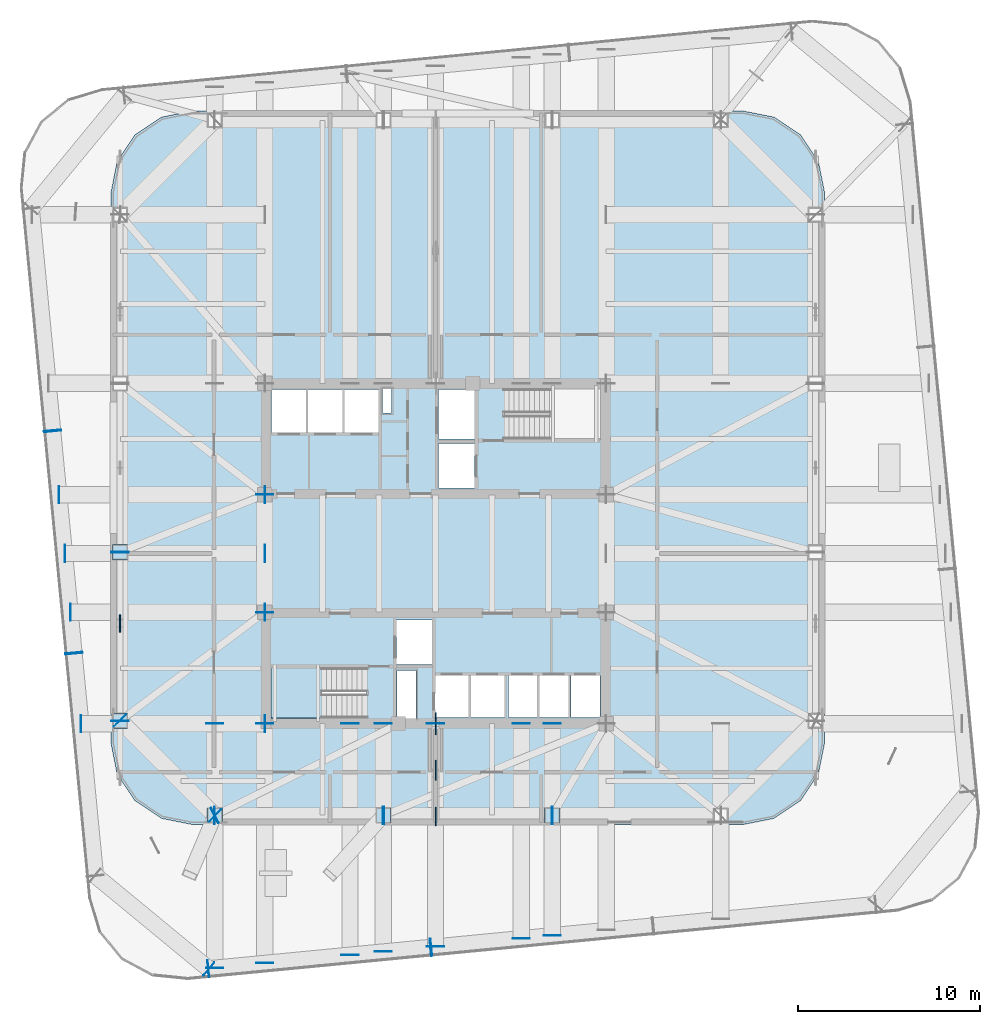
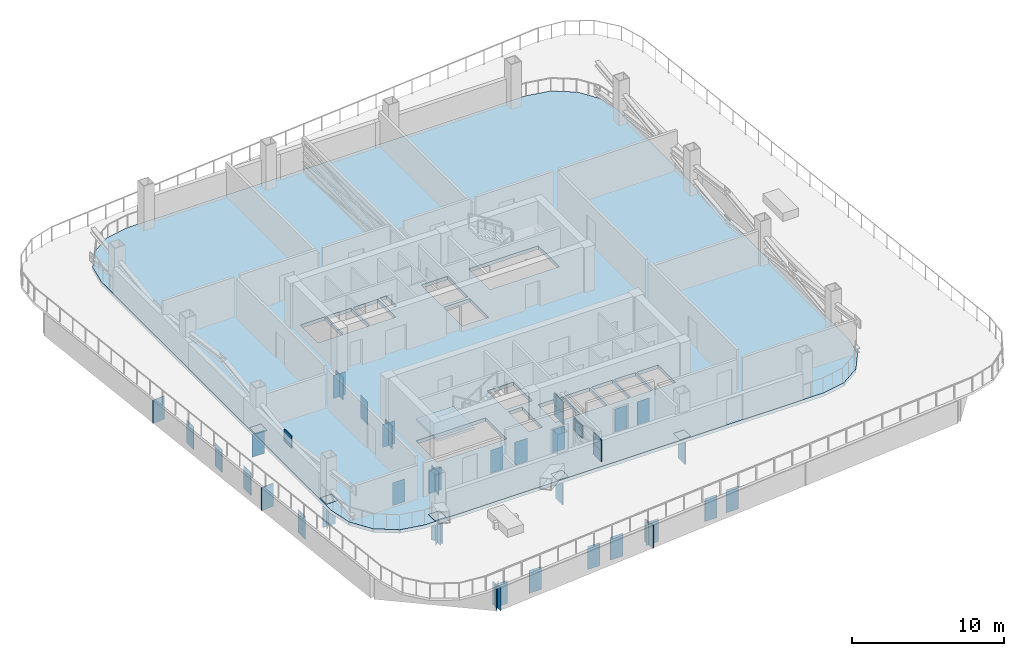
# One storey, part 4 of 15: 54 plates, 2 slabs, 1 element without a shape of its own.
"""IFC4 building model written with IfcOpenShell, lengths in metres."""

from ifc_helpers import new_model, si_unit, direction, frame, origin, origin_2d, place, context, subcontext, project, spatial, polyline, rectangle, outline, extrude, material, layer, layer_set, type_object, element, aggregate, save


model = new_model("IFC4")

# Units and contexts
model_context = context("Model", 3, precision=1e-05, world=origin(), true_north=direction((0.0, 1.0)))
body_context = subcontext(model_context, "Body", "Model", "MODEL_VIEW")
ifc_project = project(units=[si_unit("LENGTHUNIT", "METRE"), si_unit("AREAUNIT", "SQUARE_METRE"), si_unit("VOLUMEUNIT", "CUBIC_METRE"), si_unit("PLANEANGLEUNIT", "RADIAN"), si_unit("MASSUNIT", "GRAM", prefix="KILO")], contexts=[model_context])

# Site, building, storey
site_placement = place(None, origin())
site = spatial("IfcSite", under=ifc_project, at=site_placement, CompositionType="ELEMENT")
building_placement = place(site_placement, origin())
building = spatial("IfcBuilding", under=site, at=building_placement, Name="Qhalaya Broadcast Tower", CompositionType="ELEMENT")
storey_placement = place(building_placement, frame((0.0, 0.0, 101.25)))
storey = spatial("IfcBuildingStorey", under=building, at=storey_placement, Name="L29", CompositionType="ELEMENT", Elevation=101.25)

# Plates
ifc_material_1 = material(Name="Structural Steel ASTM A572 Grade 50", Category="steel")
ifc_layer_1 = layer(ifc_material_1, 0.4599609375, Name="Structural Steel ASTM A572 Grade 50")
ifc_layer_set_1 = layer_set([ifc_layer_1], Name="Structural Steel ASTM A572 Grade 50")
plate_type_1 = type_object("IfcPlateType", Name="Hollow Box Member End Cap Plate CP-01", PredefinedType="USERDEFINED", material=ifc_layer_set_1)
for number, where, z_axis, x_axis, name in (
    (1, (-12.14599609375, -13.7900390625, -2.10009765625), (0.0, 0.0, 1.0), (0.0, 1.0, 0.0), "L29 Hollow Girder End Cap L29-SPR-01-A"),
    (2, (-2.847412109375, -13.7900390625, -2.10009765625), (0.0, 0.0, 1.0), (0.0, 1.0, 0.0), "L29 Hollow Girder End Cap L29-SPR-01-B"),
    (3, (-2.87939453125, -13.7900390625, -2.10009765625), (0.0, 0.0, 1.0), (0.0, 1.0, 0.0), "L29 Hollow Girder End Cap L29-SPR-02-A"),
    (4, (6.419189453125, -13.7900390625, -2.10009765625), (0.0, 0.0, 1.0), (0.0, 1.0, 0.0), "L29 Hollow Girder End Cap L29-SPR-02-B"),
    (5, (6.38720703125, -13.7900390625, -2.10009765625), (0.0, 0.0, 1.0), (0.0, 1.0, 0.0), "L29 Hollow Girder End Cap L29-SPR-03-A"),
    (6, (-17.330078125, 0.66064453125, -2.10009765625), (0.0, 0.0, 1.0), (1.0, 0.0, 0.0), "L29 Hollow Girder End Cap L29-SPR-14-B"),
    (7, (-17.330078125, 0.692626953125, -2.10009765625), (0.0, 0.0, 1.0), (1.0, 0.0, 0.0), "L29 Hollow Girder End Cap L29-SPR-15-A"),
    (8, (-17.330078125, -8.60595703125, -2.10009765625), (0.0, 0.0, 1.0), (1.0, 0.0, 0.0), "L29 Hollow Girder End Cap L29-SPR-15-B"),
    (9, (-17.34130859375, -8.57861328125, -2.10009765625), (0.0, 0.0, 1.0), (0.707106781187, 0.707106781187, 0.0), "L29 Hollow Girder End Cap L29-SPR-16-A"),
    (10, (-12.11865234375, -13.80126953125, -2.10009765625), (0.0, 0.0, 1.0), (0.707106781187, 0.707106781187, 0.0), "L29 Hollow Girder End Cap L29-SPR-16-B"),
    (11, (-12.481201171875, -22.214111328125, -2.10009765625), (0.0, 0.0, 1.0), (-0.09584575252, 0.995396198367, 0.0), "L29 Hollow Girder End Cap L29-TGL-01-A"),
    (12, (-0.2392578125, -21.035400390625, -2.10009765625), (0.0, 0.0, 1.0), (-0.09584575252, 0.995396198367, 0.0), "L29 Hollow Girder End Cap L29-TGL-01-B"),
    (13, (-0.27099609375, -21.038330078125, -2.10009765625), (0.0, 0.0, 1.0), (-0.09584575252, 0.995396198367, 0.0), "L29 Hollow Girder End Cap L29-TGL-02-A"),
    (14, (-21.035400390625, 7.3193359375, -2.10009765625), (0.0, 0.0, 1.0), (0.995396198367, 0.09584575252, 0.0), "L29 Hollow Girder End Cap L29-TGL-13-B"),
    (15, (-21.038330078125, 7.35107421875, -2.10009765625), (0.0, 0.0, 1.0), (0.995396198367, 0.09584575252, 0.0), "L29 Hollow Girder End Cap L29-TGL-14-A"),
    (16, (-19.859619140625, -4.890869140625, -2.10009765625), (0.0, 0.0, 1.0), (0.995396198367, 0.09584575252, 0.0), "L29 Hollow Girder End Cap L29-TGL-14-B"),
    (17, (-19.86279296875, -4.859130859375, -2.10009765625), (0.0, 0.0, 1.0), (0.995396198367, 0.09584575252, 0.0), "L29 Hollow Girder End Cap L29-TGL-15-A"),
    (18, (-12.453125, -22.222900390625, -2.10009765625), (0.0, 0.0, 1.0), (0.636078220278, 0.771624583388, 0.0), "L29 Hollow Girder End Cap L29-TGL-16-B"),
    (19, (0.0, -20.988037109375, -2.10009765625), (0.0, 0.0, 1.0), (-1.0, 0.0, 0.0), "L29 Hollow Girder End Cap L29-TGIMS-1-A"),
    (20, (0.0, -8.73388671875, -2.10009765625), (0.0, 0.0, 1.0), (-1.0, 0.0, 0.0), "L29 Hollow Girder End Cap L29-TGIMS-1-B"),
    (21, (-4.699951171875, -21.440673828125, -2.10009765625), (0.0, 0.0, 1.0), (-1.0, 0.0, 0.0), "L29 Hollow Girder End Cap L29-TGIMSW-1-A"),
    (22, (-4.699951171875, -8.73388671875, -2.10009765625), (0.0, 0.0, 1.0), (-1.0, 0.0, 0.0), "L29 Hollow Girder End Cap L29-TGIMSW-1-B"),
    (23, (4.699951171875, -20.53564453125, -2.10009765625), (0.0, 0.0, 1.0), (-1.0, 0.0, 0.0), "L29 Hollow Girder End Cap L29-TGIMSE-1-A"),
    (24, (4.699951171875, -8.73388671875, -2.10009765625), (0.0, 0.0, 1.0), (-1.0, 0.0, 0.0), "L29 Hollow Girder End Cap L29-TGIMSE-1-B"),
    (25, (-20.3642578125, 0.60009765625, -2.10009765625), (0.0, 0.0, 1.0), (0.0, 1.0, 0.0), "L29 Hollow Girder End Cap L29-TGIYW-1-A"),
    (26, (-9.35888671875, 0.60009765625, -2.10009765625), (0.0, 0.0, 1.0), (0.0, 1.0, 0.0), "L29 Hollow Girder End Cap L29-TGIYW-1-B"),
    (27, (-9.375, -21.890869140625, -2.10009765625), (0.0, 0.0, 1.0), (-1.0, 0.0, 0.0), "L29 Hollow Girder End Cap L29-TGISW-1-A"),
    (28, (-9.375, -8.73388671875, -2.10009765625), (0.0, 0.0, 1.0), (-1.0, 0.0, 0.0), "L29 Hollow Girder End Cap L29-TGISW-1-B"),
    (29, (-9.375, -2.64111328125, -2.10009765625), (0.0, 0.0, 1.0), (-1.0, 0.0, 0.0), "L29 Hollow Girder End Cap L29-TGIMW-1-A"),
    (30, (-9.375, 3.841064453125, -2.10009765625), (0.0, 0.0, 1.0), (-1.0, 0.0, 0.0), "L29 Hollow Girder End Cap L29-TGIMW-1-B"),
    (31, (-19.4638671875, -8.75, -2.10009765625), (0.0, 0.0, 1.0), (0.0, 1.0, 0.0), "L29 Hollow Girder End Cap L29-TGIY1W-1-A"),
    (32, (-9.35888671875, -8.75, -2.10009765625), (0.0, 0.0, 1.0), (0.0, 1.0, 0.0), "L29 Hollow Girder End Cap L29-TGIY1W-1-B"),
    (33, (-20.0537109375, -2.625, -2.10009765625), (0.0, 0.0, 1.0), (0.0, 1.0, 0.0), "L29 Hollow Girder End Cap L29-TGIY2W-1-A"),
    (34, (-9.35888671875, -2.625, -2.10009765625), (0.0, 0.0, 1.0), (0.0, 1.0, 0.0), "L29 Hollow Girder End Cap L29-TGIY2W-1-B"),
    (35, (-20.6748046875, 3.824951171875, -2.10009765625), (0.0, 0.0, 1.0), (0.0, 1.0, 0.0), "L29 Hollow Girder End Cap L29-TGIY3W-1-A"),
    (36, (-9.35888671875, 3.824951171875, -2.10009765625), (0.0, 0.0, 1.0), (0.0, 1.0, 0.0), "L29 Hollow Girder End Cap L29-TGIY3W-1-B"),
    (37, (-12.1298828125, -22.156005859375, -2.10009765625), (0.0, 0.0, 1.0), (-1.0, 0.0, 0.0), "L29 Hollow Girder End Cap L29-TGC-01-A"),
    (38, (-12.1298828125, -8.73388671875, -2.10009765625), (0.0, 0.0, 1.0), (-1.0, 0.0, 0.0), "L29 Hollow Girder End Cap L29-TGC-01-B"),
):
    element("IfcPlate", number, at=place(storey_placement, frame(where, z_axis=z_axis, x_axis=x_axis)), inside=storey, type_object=plate_type_1, Name=name, ObjectType="COVER_PLATE", PredefinedType="USERDEFINED", context=body_context, shape_type="SweptSolid", body=[
        extrude(rectangle(XDim=0.93994140625, YDim=0.031982421875, at=origin_2d()), origin(), (0.0, 0.0, 1.0), 1.840087890625),
    ])
plate_1_placement = place(storey_placement, frame((-12.1298828125, -13.7900390625, -2.080078125), z_axis=(0.0, 0.0, 1.0), x_axis=(-0.449116287514, 0.893473312578, 0.0)))
element("IfcPlate", 39, at=plate_1_placement, inside=storey, type_object=plate_type_1, Name="L29 Transfer Box End Cap 01", ObjectType="COVER_PLATE", PredefinedType="USERDEFINED", context=body_context, shape_type="SweptSolid", body=[
    extrude(rectangle(XDim=0.919921875, YDim=0.035888671875, at=origin_2d()), origin(), (0.0, 0.0, 1.0), 1.800048828125),
])
for number, where, z_axis, x_axis, name in (
    (40, (-2.86328125, -21.263916015625, -2.10009765625), (0.0, 0.0, 1.0), (-1.0, 0.0, 0.0), "L29 Hollow Girder End Cap L29-TGC-02-A"),
    (41, (-2.86328125, -8.73388671875, -2.10009765625), (0.0, 0.0, 1.0), (-1.0, 0.0, 0.0), "L29 Hollow Girder End Cap L29-TGC-02-B"),
    (42, (6.4033203125, -20.37158203125, -2.10009765625), (0.0, 0.0, 1.0), (-1.0, 0.0, 0.0), "L29 Hollow Girder End Cap L29-TGC-03-A"),
    (43, (6.4033203125, -8.73388671875, -2.10009765625), (0.0, 0.0, 1.0), (-1.0, 0.0, 0.0), "L29 Hollow Girder End Cap L29-TGC-03-B"),
):
    element("IfcPlate", number, at=place(storey_placement, frame(where, z_axis=z_axis, x_axis=x_axis)), inside=storey, type_object=plate_type_1, Name=name, ObjectType="COVER_PLATE", PredefinedType="USERDEFINED", context=body_context, shape_type="SweptSolid", body=[
        extrude(rectangle(XDim=0.93994140625, YDim=0.031982421875, at=origin_2d()), origin(), (0.0, 0.0, 1.0), 1.840087890625),
    ])
for number, where, z_axis, x_axis, name in (
    (44, (-12.1298828125, -13.7900390625, -0.0322265625), (0.0, 0.0, 1.0), (1.0, 0.0, 0.0), "L29 Hollow Box Column Base Cap Plate COL-NK01"),
    (45, (-2.86328125, -13.7900390625, -0.0322265625), (0.0, 0.0, 1.0), (1.0, 0.0, 0.0), "L29 Hollow Box Column Base Cap Plate COL-NK02"),
    (46, (6.4033203125, -13.7900390625, -0.0322265625), (0.0, 0.0, 1.0), (1.0, 0.0, 0.0), "L29 Hollow Box Column Base Cap Plate COL-NK03"),
    (47, (-17.330078125, 0.6767578125, -0.0322265625), (0.0, 0.0, 1.0), (0.0, 1.0, 0.0), "L29 Hollow Box Column Base Cap Plate COL-NK15"),
    (48, (-17.330078125, -8.590087890625, -0.0322265625), (0.0, 0.0, 1.0), (0.0, 1.0, 0.0), "L29 Hollow Box Column Base Cap Plate COL-NK16"),
):
    element("IfcPlate", number, at=place(storey_placement, frame(where, z_axis=z_axis, x_axis=x_axis)), inside=storey, type_object=plate_type_1, Name=name, ObjectType="COVER_PLATE", PredefinedType="USERDEFINED", context=body_context, shape_type="SweptSolid", body=[
        extrude(rectangle(XDim=0.840087890625, YDim=0.840087890625, at=origin_2d()), origin(), (0.0, 0.0, 1.0), 0.031982421875),
    ])
ifc_layer_2 = layer(ifc_material_1, 0.06005859375, Name="Structural Steel ASTM A572 Grade 50")
ifc_layer_set_2 = layer_set([ifc_layer_2], Name="Structural Steel ASTM A572 Grade 50")
plate_type_2 = type_object("IfcPlateType", Name="Outrigger Core Embed Gusset Plate NP-02", PredefinedType="USERDEFINED", material=ifc_layer_set_2)
for number, where, z_axis, x_axis, name in (
    (49, (0.0, -8.75, 0.400146484375), (0.0, 0.0, 1.0), (0.0, -1.0, 0.0), "L29 Outrigger Gusset Node SC-C0"),
    (50, (0.0, -8.75, 1.2900390625), (0.0, 0.0, 1.0), (0.0, -1.0, 0.0), "L29 Outrigger Gusset Node SC-C1"),
):
    element("IfcPlate", number, at=place(storey_placement, frame(where, z_axis=z_axis, x_axis=x_axis)), inside=storey, type_object=plate_type_2, Name=name, ObjectType="GUSSET_PLATE", PredefinedType="USERDEFINED", context=body_context, shape_type="SweptSolid", body=[
        extrude(rectangle(XDim=1.199951171875, YDim=0.06005859375, at=origin_2d()), origin(), (0.0, 0.0, 1.0), 0.89990234375),
    ])
plate_2_placement = place(storey_placement, frame((0.0, -11.294921875, 0.794921875), z_axis=(0.0, 0.0, 1.0), x_axis=(0.0, -1.0, 0.0)))
element("IfcPlate", 51, at=plate_2_placement, inside=storey, type_object=plate_type_2, Name="L29 Outrigger Gusset Node SC-XM", ObjectType="GUSSET_PLATE", PredefinedType="USERDEFINED", context=body_context, shape_type="SweptSolid", body=[
    extrude(rectangle(XDim=1.10009765625, YDim=0.06005859375, at=origin_2d()), origin(), (0.0, 0.0, 1.0), 1.0),
])
for number, where, z_axis, x_axis, name in (
    (52, (0.0, -13.840087890625, 0.425048828125), (0.0, 0.0, 1.0), (0.0, -1.0, 0.0), "L29 Outrigger Gusset Node SC-P0"),
    (53, (0.0, -13.840087890625, 1.31494140625), (0.0, 0.0, 1.0), (0.0, -1.0, 0.0), "L29 Outrigger Gusset Node SC-P1"),
):
    element("IfcPlate", number, at=place(storey_placement, frame(where, z_axis=z_axis, x_axis=x_axis)), inside=storey, type_object=plate_type_2, Name=name, ObjectType="GUSSET_PLATE", PredefinedType="USERDEFINED", context=body_context, shape_type="SweptSolid", body=[
        extrude(rectangle(XDim=1.0, YDim=0.06005859375, at=origin_2d()), origin(), (0.0, 0.0, 1.0), 0.85009765625),
    ])
plate_3_placement = place(storey_placement, frame((-17.330078125, -3.239990234375, 1.13525390625), z_axis=(0.0, 0.0, 1.0), x_axis=(0.0, 1.0, 0.0)))
element("IfcPlate", 54, at=plate_3_placement, inside=storey, type_object=plate_type_2, Name="L29 Belt Truss X-Crossing Gusset W1", ObjectType="GUSSET_PLATE", PredefinedType="USERDEFINED", context=body_context, shape_type="SweptSolid", body=[
    extrude(rectangle(XDim=0.949951171875, YDim=0.06005859375, at=origin_2d()), origin(), (0.0, 0.0, 1.0), 0.949951171875),
])

# Slab
ifc_material_2 = material(Name="Concrete C40/50", Category="concrete")
ifc_layer_3 = layer(ifc_material_2, 0.280029296875, Name="Concrete C40/50")
ifc_layer_set_3 = layer_set([ifc_layer_3], Name="Concrete C40/50")
slab_type_1 = type_object("IfcSlabType", Name="Plant & Refuge Heavy Duty Floor Slab 280", PredefinedType="FLOOR", material=ifc_layer_set_3)
slab_1_placement = place(storey_placement, frame((0.0, 0.0, -0.280029296875)))
element("IfcSlab", 55, at=slab_1_placement, inside=storey, type_object=slab_type_1, Name="L29 Main Structural Floor Slab", PredefinedType="FLOOR", context=body_context, shape_type="SweptSolid", body=[
    extrude(outline(polyline([(16.8701171875, -14.2900390625), (18.592041015625, -13.947509765625), (20.052001953125, -12.971923828125), (21.027587890625, -11.51220703125), (21.3701171875, -9.7900390625), (21.3701171875, 20.409912109375), (21.027587890625, 22.132080078125), (20.052001953125, 23.592041015625), (18.592041015625, 24.5673828125), (16.8701171875, 24.909912109375), (-13.330078125, 24.909912109375), (-15.052001953125, 24.5673828125), (-16.511962890625, 23.592041015625), (-17.487548828125, 22.132080078125), (-17.830078125, 20.409912109375), (-17.830078125, -9.7900390625), (-17.487548828125, -11.51220703125), (-16.511962890625, -12.971923828125), (-15.052001953125, -13.947509765625), (-13.330078125, -14.2900390625), (16.8701171875, -14.2900390625)]), holes=[polyline([(3.784912109375, 9.639892578125), (9.050048828125, 9.639892578125), (9.050048828125, 6.8798828125), (3.784912109375, 6.8798828125), (3.784912109375, 9.639892578125)]), polyline([(-3.784912109375, -8.43994140625), (-9.050048828125, -8.43994140625), (-9.050048828125, -5.679931640625), (-3.784912109375, -5.679931640625), (-3.784912109375, -8.43994140625)]), polyline([(0.14990234375, 6.64990234375), (2.14990234375, 6.64990234375), (2.14990234375, 4.199951171875), (0.14990234375, 4.199951171875), (0.14990234375, 6.64990234375)]), polyline([(0.14990234375, 9.60009765625), (2.14990234375, 9.60009765625), (2.14990234375, 6.89990234375), (0.14990234375, 6.89990234375), (0.14990234375, 9.60009765625)]), polyline([(-2.14990234375, -3.050048828125), (-0.14990234375, -3.050048828125), (-0.14990234375, -5.5), (-2.14990234375, -5.5), (-2.14990234375, -3.050048828125)]), polyline([(-9.0, 9.60009765625), (-7.1201171875, 9.60009765625), (-7.1201171875, 7.25), (-9.0, 7.25), (-9.0, 9.60009765625)]), polyline([(-7.0, 9.60009765625), (-5.1201171875, 9.60009765625), (-5.1201171875, 7.25), (-7.0, 7.25), (-7.0, 9.60009765625)]), polyline([(-5.0, 9.60009765625), (-3.1201171875, 9.60009765625), (-3.1201171875, 7.25), (-5.0, 7.25), (-5.0, 9.60009765625)]), polyline([(-0.050048828125, -6.10009765625), (1.830078125, -6.10009765625), (1.830078125, -8.39990234375), (-0.050048828125, -8.39990234375), (-0.050048828125, -6.10009765625)]), polyline([(1.949951171875, -6.10009765625), (3.830078125, -6.10009765625), (3.830078125, -8.39990234375), (1.949951171875, -8.39990234375), (1.949951171875, -6.10009765625)]), polyline([(4.0, -6.10009765625), (5.60009765625, -6.10009765625), (5.60009765625, -8.39990234375), (4.0, -8.39990234375), (4.0, -6.10009765625)]), polyline([(5.719970703125, -6.10009765625), (7.320068359375, -6.10009765625), (7.320068359375, -8.39990234375), (5.719970703125, -8.39990234375), (5.719970703125, -6.10009765625)]), polyline([(7.43994140625, -6.10009765625), (9.0400390625, -6.10009765625), (9.0400390625, -8.39990234375), (7.43994140625, -8.39990234375), (7.43994140625, -6.10009765625)]), polyline([(-2.919921875, 9.659912109375), (-2.419921875, 9.659912109375), (-2.419921875, 8.320068359375), (-2.919921875, 8.320068359375), (-2.919921875, 9.659912109375)]), polyline([(-2.1201171875, -5.820068359375), (-1.080078125, -5.820068359375), (-1.080078125, -8.4599609375), (-2.1201171875, -8.4599609375), (-2.1201171875, -5.820068359375)])]), origin(), (0.0, 0.0, 1.0), 0.280029296875),
])

# Stair, slab
stair_type = type_object("IfcStairType", Name="Protected Dogleg Core Stair 3600", PredefinedType="TWO_STRAIGHT_RUN_STAIR", material=ifc_material_2)
stair_placement = place(storey_placement, origin())
stair = element("IfcStair", 56, at=stair_placement, inside=storey, type_object=stair_type, Name="L29 South Core Exit Stair ST-2", PredefinedType="TWO_STRAIGHT_RUN_STAIR")
ifc_layer_4 = layer(ifc_material_2, 0.199951171875, Name="Concrete C40/50")
ifc_layer_set_4 = layer_set([ifc_layer_4], Name="Concrete C40/50")
slab_type_2 = type_object("IfcSlabType", Name="Stair & Ramp Half-Landing Slab 200", PredefinedType="LANDING", material=ifc_layer_set_4)
slab_2_placement = place(storey_placement, frame((0.0, 0.0, 1.60009765625)))
slab_2 = element("IfcSlab", 57, at=slab_2_placement, type_object=slab_type_2, Name="ST-2 landing 1", PredefinedType="LANDING", context=body_context, shape_type="SweptSolid", body=[
    extrude(outline(polyline([(-6.235107421875, -5.679931640625), (-9.050048828125, -5.679931640625), (-9.050048828125, -8.43994140625), (-6.235107421875, -8.43994140625), (-6.235107421875, -5.679931640625)])), origin(), (0.0, 0.0, 1.0), 0.199951171875),
])
aggregate(stair, [slab_2])

save(model, "model.ifc")
